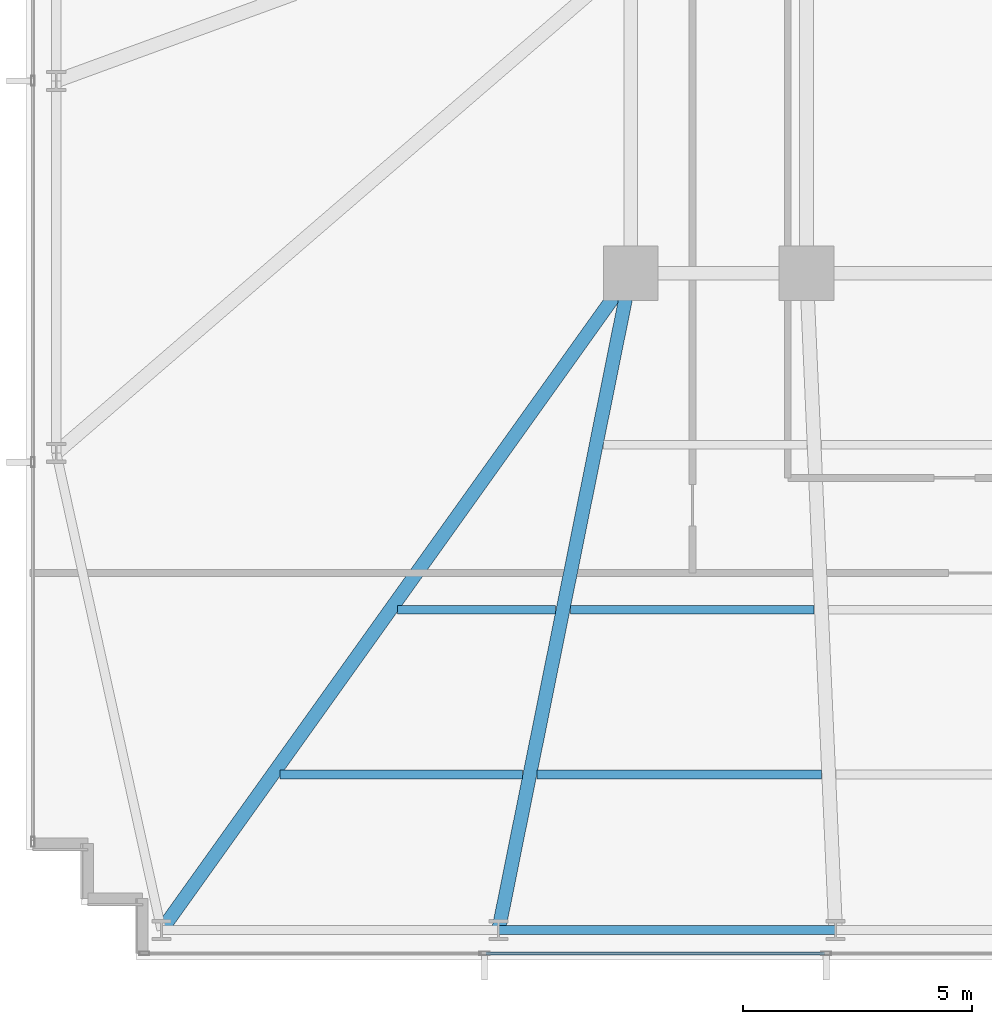
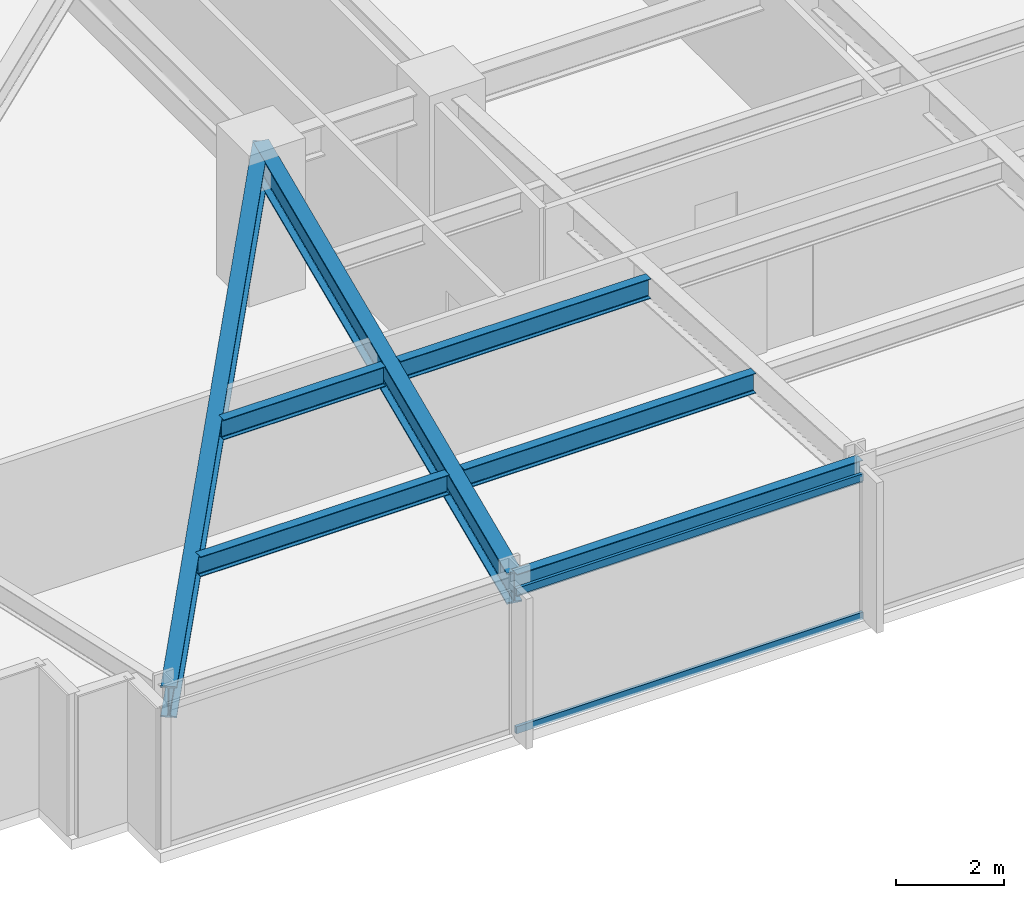
# One storey, part 3 of 32: 7 beams, 2 members, 1 element without a shape of its own.
"""IFC4 building model written with IfcOpenShell, lengths in metres."""

import ifcopenshell
import ifcopenshell.guid

model = None  # the IFC model being written
_history = None  # IfcOwnerHistory: only IFC2X3 demands one
_inside = {}  # id of a spatial element -> (the spatial element, [elements in it])
_under = {}  # id of a project, library or spatial element -> (it, [spatial elements below it])
_declared = {}  # id of a project -> (the project, [libraries it declares])
_typed = {}  # id of a type object -> (the type object, [elements of that type])
_made_of = {}  # id of a material, layer set ... -> (it, [elements and type objects made of it])


def new_model(schema):
    """Start an empty IFC model of exactly this schema.

    Asked for "IFC4X3", IfcOpenShell would pick the latest addendum, in which some entities
    have other attributes; the version numbers below select the first issue.
    IFC2X3 requires an IfcOwnerHistory on every rooted entity: one is made here for all.
    """
    global model, _history
    if schema == "IFC4X3":
        model = ifcopenshell.file(schema_version=(4, 3, 0, 0))
    else:
        model = ifcopenshell.file(schema=schema)
    _inside.clear()
    _under.clear()
    _declared.clear()
    _typed.clear()
    _made_of.clear()
    _history = None
    if model.schema == "IFC2X3":
        org = make("IfcOrganization", Name="unknown")
        user = make(
            "IfcPersonAndOrganization",
            ThePerson=make("IfcPerson", FamilyName="unknown"),
            TheOrganization=org,
        )
        app = make(
            "IfcApplication",
            ApplicationDeveloper=org,
            Version="unknown",
            ApplicationFullName="unknown",
            ApplicationIdentifier="unknown",
        )
        _history = make(
            "IfcOwnerHistory",
            OwningUser=user,
            OwningApplication=app,
            ChangeAction="ADDED",
            CreationDate=0,
        )
    return model


def make(cls, **values):
    """One entity of the class cls with the attributes given. An attribute that is None is left unset."""
    return model.create_entity(
        cls, **{name: value for name, value in values.items() if value is not None}
    )


def rooted(cls, **values):
    """An entity with a GlobalId (a new one), such as an element, a storey or a relation."""
    return make(cls, GlobalId=ifcopenshell.guid.new(), OwnerHistory=_history, **values)


def si_unit(unit_type, name, prefix=None):
    """IfcSIUnit, for example si_unit("LENGTHUNIT", "METRE", prefix="MILLI")."""
    return make("IfcSIUnit", UnitType=unit_type, Prefix=prefix, Name=name)


def assignment(units):
    """IfcUnitAssignment: the units of a project."""
    return None if units is None else make("IfcUnitAssignment", Units=units)


def point(xyz):
    """IfcCartesianPoint."""
    return None if xyz is None else make("IfcCartesianPoint", Coordinates=xyz)


def direction(xyz):
    """IfcDirection."""
    return None if xyz is None else make("IfcDirection", DirectionRatios=xyz)


def frame(location, z_axis=None, x_axis=None):
    """IfcAxis2Placement3D, a coordinate frame: its origin and axes. An axis left out is left unset."""
    return make(
        "IfcAxis2Placement3D",
        Location=point(location),
        Axis=direction(z_axis),
        RefDirection=direction(x_axis),
    )


def frame_2d(location, x_axis=None):
    """IfcAxis2Placement2D, a coordinate frame in the plane: its origin and x axis."""
    return make(
        "IfcAxis2Placement2D", Location=point(location), RefDirection=direction(x_axis)
    )


def origin():
    """The frame at (0, 0, 0) with its axes left unset."""
    return frame((0.0, 0.0, 0.0))


def origin_2d():
    """The frame at (0, 0) in the plane with its x axis left unset."""
    return frame_2d((0.0, 0.0))


def place(relative_to, where):
    """IfcLocalPlacement: puts the frame where relative to a parent placement (None: the world)."""
    return make(
        "IfcLocalPlacement", PlacementRelTo=relative_to, RelativePlacement=where
    )


def context(
    kind, dimensions, precision=None, world=None, true_north=None, identifier=None
):
    """IfcGeometricRepresentationContext, for example the 3D "Model" context."""
    return make(
        "IfcGeometricRepresentationContext",
        ContextIdentifier=identifier,
        ContextType=kind,
        CoordinateSpaceDimension=dimensions,
        Precision=precision,
        WorldCoordinateSystem=world,
        TrueNorth=true_north,
    )


def subcontext(parent, identifier, kind, view, scale=None):
    """IfcGeometricRepresentationSubContext, for example "Body" below "Model"."""
    return make(
        "IfcGeometricRepresentationSubContext",
        ContextIdentifier=identifier,
        ContextType=kind,
        ParentContext=parent,
        TargetScale=scale,
        TargetView=view,
    )


def project(units=None, contexts=None):
    """IfcProject with its units and contexts."""
    return rooted(
        "IfcProject",
        Name="project",
        RepresentationContexts=contexts,
        UnitsInContext=assignment(units),
    )


def spatial(cls, under=None, at=None, **own):
    """A site, building, storey or space (cls), placed at a placement, below another one or the project."""
    s = rooted(cls, ObjectPlacement=at, **own)
    if under is not None:
        _under.setdefault(under.id(), (under, []))[1].append(s)
    return s


def profile(cls, at=None, kind="AREA", **sizes):
    """A parametric profile (cls). Its sizes go by their IFC names, for example OverallWidth=200.0."""
    return make(cls, ProfileType=kind, Position=at, **sizes)


def hollow_rectangle(**sizes):
    """IfcRectangleHollowProfileDef."""
    return profile("IfcRectangleHollowProfileDef", **sizes)


def i_section(**sizes):
    """IfcIShapeProfileDef."""
    return profile("IfcIShapeProfileDef", **sizes)


def extrude(swept, where, along, depth):
    """IfcExtrudedAreaSolid: the profile swept, set in the frame where, extruded along a direction by depth."""
    return make(
        "IfcExtrudedAreaSolid",
        SweptArea=swept,
        Position=where,
        ExtrudedDirection=direction(along),
        Depth=depth,
    )


def shape(context_of_items, identifier, shape_type, items):
    """IfcShapeRepresentation: the items that make up one representation, for example the "Body"."""
    return make(
        "IfcShapeRepresentation",
        ContextOfItems=context_of_items,
        RepresentationIdentifier=identifier,
        RepresentationType=shape_type,
        Items=items,
    )


def material(Name=None, Category=None):
    """IfcMaterial."""
    return make("IfcMaterial", Name=Name, Category=Category)


def material_profile(
    of_material, cross_section, Name=None, Category=None, Priority=None
):
    """IfcMaterialProfile: a cross section and its material."""
    return make(
        "IfcMaterialProfile",
        Name=Name,
        Material=of_material,
        Profile=cross_section,
        Priority=Priority,
        Category=Category,
    )


def profile_set(profiles, Name=None, composite=None):
    """IfcMaterialProfileSet."""
    return make(
        "IfcMaterialProfileSet",
        Name=Name,
        MaterialProfiles=profiles,
        CompositeProfile=composite,
    )


def made_of(thing, what):
    """Note that an element or type object is made of a material, layer set ...; save() writes the relation."""
    if what is not None:
        _made_of.setdefault(what.id(), (what, []))[1].append(thing)
    return thing


def type_object(cls, material=None, **own):
    """A type object (cls), such as IfcWallType, which elements share."""
    return made_of(rooted(cls, **own), material)


def element(
    cls,
    number,
    at=None,
    inside=None,
    cuts=None,
    type_object=None,
    material=None,
    context=None,
    identifier="Body",
    shape_type=None,
    held_by="IfcProductDefinitionShape",
    body=None,
    shapes=None,
    **own,
):
    """One element of the class cls, such as IfcWall. Its Tag is "e" and its number.

    at: its placement. inside: the storey or other place that contains it. cuts: it is an
    opening in that element (IfcRelVoidsElement). A single representation is given by context,
    identifier, shape_type and body (its items); several are given by shapes. held_by: the class
    of the entity that holds the representations. save() writes the other relations.
    """
    e = rooted(cls, Tag="e%d" % number, ObjectPlacement=at, **own)
    if body is not None:
        shapes = [shape(context, identifier, shape_type, body)]
    if shapes is not None:
        e.Representation = make(held_by, Representations=shapes)
    if inside is not None:
        _inside.setdefault(inside.id(), (inside, []))[1].append(e)
    if cuts is not None:
        rooted(
            "IfcRelVoidsElement", RelatingBuildingElement=cuts, RelatedOpeningElement=e
        )
    if type_object is not None:
        _typed.setdefault(type_object.id(), (type_object, []))[1].append(e)
    return made_of(e, material)


def aggregate(whole, parts):
    """IfcRelAggregates: a whole, such as a stair, and the parts it consists of."""
    return rooted("IfcRelAggregates", RelatingObject=whole, RelatedObjects=parts)


def save(model, path):
    """Write the relations noted so far, then the file.

    IfcRelAggregates (storeys below a building ...), IfcRelContainedInSpatialStructure (elements
    in a storey), IfcRelDefinesByType, IfcRelAssociatesMaterial and IfcRelDeclares: one each for
    every whole, place, type object, material and project.
    """
    for whole, parts in _under.values():
        aggregate(whole, parts)
    for where, things in _inside.values():
        rooted(
            "IfcRelContainedInSpatialStructure",
            RelatedElements=things,
            RelatingStructure=where,
        )
    for kind, things in _typed.values():
        rooted("IfcRelDefinesByType", RelatedObjects=things, RelatingType=kind)
    for what, things in _made_of.values():
        rooted("IfcRelAssociatesMaterial", RelatedObjects=things, RelatingMaterial=what)
    for by, libraries in _declared.values():
        rooted("IfcRelDeclares", RelatingContext=by, RelatedDefinitions=libraries)
    model.write(path)


model = new_model("IFC4")

# Units and contexts
model_context = context("Model", 3, precision=1e-05, world=origin(), true_north=direction((0.0, 1.0)))
body_context = subcontext(model_context, "Body", "Model", "MODEL_VIEW")
ifc_project = project(units=[si_unit("LENGTHUNIT", "METRE"), si_unit("AREAUNIT", "SQUARE_METRE"), si_unit("VOLUMEUNIT", "CUBIC_METRE"), si_unit("PLANEANGLEUNIT", "RADIAN"), si_unit("MASSUNIT", "GRAM", prefix="KILO")], contexts=[model_context])

# Site, building, storey
site_placement = place(None, origin())
site = spatial("IfcSite", under=ifc_project, at=site_placement, CompositionType="ELEMENT")
building_placement = place(site_placement, origin())
building = spatial("IfcBuilding", under=site, at=building_placement, Name="Yelkora Congress Tower", CompositionType="ELEMENT")
storey_placement = place(building_placement, frame((0.0, 0.0, 33.800048828125)))
storey = spatial("IfcBuildingStorey", under=building, at=storey_placement, Name="L07", CompositionType="ELEMENT", Elevation=33.800048828125)

# Beams
ifc_material_1 = material(Name="Steel S355J2", Category="steel")
ifc_material_profile_1 = material_profile(ifc_material_1, i_section(OverallWidth=0.300048828125, OverallDepth=0.699951171875, WebThickness=0.01708984375, FlangeThickness=0.031982421875, FilletRadius=0.027099609375, at=origin_2d()), Name="HEB 700")
ifc_profile_set_1 = profile_set([ifc_material_profile_1], Name="Steel S355J2")
beam_type_1 = type_object("IfcBeamType", Name="BM-GIRD-HEB700", PredefinedType="BEAM", material=ifc_profile_set_1)
beam_1_placement = place(storey_placement, frame((8.949951171875, 10.85009765625, 2.829833984375), z_axis=(0.581242122521, 0.813730664906, 0.0), x_axis=(-0.813730664906, 0.581242122521, 0.0)))
element("IfcBeam", 1, at=beam_1_placement, inside=storey, type_object=beam_type_1, Name="L07 Primary Frame Girder S01", PredefinedType="BEAM", context=body_context, shape_type="SweptSolid", body=[
    extrude(i_section(OverallWidth=0.300048828125, OverallDepth=0.699951171875, WebThickness=0.01708984375, FlangeThickness=0.031982421875, FilletRadius=0.027099609375, at=origin_2d()), origin(), (0.0, 0.0, 1.0), 17.634765625),
])
beam_2_placement = place(storey_placement, frame((16.3125, 10.85009765625, 2.829833984375), z_axis=(0.197264295931, 0.980350344291, 0.0), x_axis=(-0.980350344291, 0.197264295931, 0.0)))
element("IfcBeam", 2, at=beam_2_placement, inside=storey, type_object=beam_type_1, Name="L07 Primary Frame Girder S02", PredefinedType="BEAM", context=body_context, shape_type="SweptSolid", body=[
    extrude(i_section(OverallWidth=0.300048828125, OverallDepth=0.699951171875, WebThickness=0.01708984375, FlangeThickness=0.031982421875, FilletRadius=0.027099609375, at=origin_2d()), origin(), (0.0, 0.0, 1.0), 14.637451171875),
])
ifc_material_profile_2 = material_profile(ifc_material_1, i_section(OverallWidth=0.18994140625, OverallDepth=0.449951171875, WebThickness=0.009521484375, FlangeThickness=0.0146484375, FilletRadius=0.02099609375, at=origin_2d()), Name="IPE 450")
ifc_profile_set_2 = profile_set([ifc_material_profile_2], Name="Steel S355J2")
beam_type_2 = type_object("IfcBeamType", Name="BM-JOIST-IPE450", PredefinedType="JOIST", material=ifc_profile_set_2)
beam_3_placement = place(storey_placement, frame((11.53857421875, 14.25, 2.954833984375), z_axis=(1.0, 0.0, 0.0), x_axis=(0.0, 1.0, 0.0)))
element("IfcBeam", 3, at=beam_3_placement, inside=storey, type_object=beam_type_2, Name="L07 Composite Floor Joist 1", PredefinedType="JOIST", context=body_context, shape_type="SweptSolid", body=[
    extrude(i_section(OverallWidth=0.18994140625, OverallDepth=0.449951171875, WebThickness=0.009521484375, FlangeThickness=0.0146484375, FilletRadius=0.02099609375, at=origin_2d()), origin(), (0.0, 0.0, 1.0), 5.298095703125),
])
beam_4_placement = place(storey_placement, frame((17.156494140625, 14.25, 2.954833984375), z_axis=(1.0, 0.0, 0.0), x_axis=(0.0, 1.0, 0.0)))
element("IfcBeam", 4, at=beam_4_placement, inside=storey, type_object=beam_type_2, Name="L07 Composite Floor Joist 2", PredefinedType="JOIST", context=body_context, shape_type="SweptSolid", body=[
    extrude(i_section(OverallWidth=0.18994140625, OverallDepth=0.449951171875, WebThickness=0.009521484375, FlangeThickness=0.0146484375, FilletRadius=0.02099609375, at=origin_2d()), origin(), (0.0, 0.0, 1.0), 6.2080078125),
])
beam_5_placement = place(storey_placement, frame((14.110107421875, 17.85009765625, 2.954833984375), z_axis=(1.0, 0.0, 0.0), x_axis=(0.0, 1.0, 0.0)))
element("IfcBeam", 5, at=beam_5_placement, inside=storey, type_object=beam_type_2, Name="L07 Composite Floor Joist 9", PredefinedType="JOIST", context=body_context, shape_type="SweptSolid", body=[
    extrude(i_section(OverallWidth=0.18994140625, OverallDepth=0.449951171875, WebThickness=0.009521484375, FlangeThickness=0.0146484375, FilletRadius=0.02099609375, at=origin_2d()), origin(), (0.0, 0.0, 1.0), 3.450927734375),
])
beam_6_placement = place(storey_placement, frame((17.881103515625, 17.85009765625, 2.954833984375), z_axis=(1.0, 0.0, 0.0), x_axis=(0.0, 1.0, 0.0)))
element("IfcBeam", 6, at=beam_6_placement, inside=storey, type_object=beam_type_2, Name="L07 Composite Floor Joist 10", PredefinedType="JOIST", context=body_context, shape_type="SweptSolid", body=[
    extrude(i_section(OverallWidth=0.18994140625, OverallDepth=0.449951171875, WebThickness=0.009521484375, FlangeThickness=0.0146484375, FilletRadius=0.02099609375, at=origin_2d()), origin(), (0.0, 0.0, 1.0), 5.323974609375),
])
ifc_material_profile_3 = material_profile(ifc_material_1, i_section(OverallWidth=0.199951171875, OverallDepth=0.5, WebThickness=0.01025390625, FlangeThickness=0.01611328125, FilletRadius=0.02099609375, at=origin_2d()), Name="IPE 500")
ifc_profile_set_3 = profile_set([ifc_material_profile_3], Name="Steel S355J2")
beam_type_3 = type_object("IfcBeamType", Name="BM-SPAN-IPE500", PredefinedType="SPANDREL", material=ifc_profile_set_3)
beam_7_placement = place(storey_placement, frame((16.3125, 10.85009765625, 2.929931640625), z_axis=(1.0, 0.0, 0.0), x_axis=(0.0, 1.0, 0.0)))
element("IfcBeam", 7, at=beam_7_placement, inside=storey, type_object=beam_type_3, Name="L07 Perimeter Beam 3", PredefinedType="SPANDREL", context=body_context, shape_type="SweptSolid", body=[
    extrude(i_section(OverallWidth=0.199951171875, OverallDepth=0.5, WebThickness=0.01025390625, FlangeThickness=0.01611328125, FilletRadius=0.02099609375, at=origin_2d()), origin(), (0.0, 0.0, 1.0), 7.362548828125),
])

# Curtain wall, members
ifc_material_2 = material(Name="Anodised aluminium and insulated glass", Category="aluminium")
curtain_wall_type = type_object("IfcCurtainWallType", Name="CW-SYS-B1", PredefinedType="NOTDEFINED", material=ifc_material_2)
curtain_wall_placement = place(storey_placement, origin())
curtain_wall = element("IfcCurtainWall", 8, at=curtain_wall_placement, inside=storey, type_object=curtain_wall_type, Name="L07 Unitised Curtain Wall 20", PredefinedType="NOTDEFINED")
ifc_material_3 = material(Name="Anodised aluminium 6063-T6", Category="aluminium")
ifc_material_profile_4 = material_profile(ifc_material_3, hollow_rectangle(XDim=0.06494140625, YDim=0.159912109375, WallThickness=0.00390625, at=origin_2d()), Name="ALU 65x160x4")
ifc_profile_set_4 = profile_set([ifc_material_profile_4], Name="Anodised aluminium 6063-T6")
member_type = type_object("IfcMemberType", Name="MEM-TR-B1", PredefinedType="USERDEFINED", material=ifc_profile_set_4)
member_1_placement = place(storey_placement, frame((23.4326171875, 10.340087890625, 0.032470703125), z_axis=(-1.0, 0.0, 0.0), x_axis=(0.0, -1.0, 0.0)))
member_1 = element("IfcMember", 9, at=member_1_placement, type_object=member_type, Name="CW-B1 transom 7.1", ObjectType="TRANSOM", PredefinedType="USERDEFINED", context=body_context, shape_type="SweptSolid", body=[
    extrude(hollow_rectangle(XDim=0.06494140625, YDim=0.159912109375, WallThickness=0.00390625, at=origin_2d()), origin(), (0.0, 0.0, 1.0), 7.39013671875),
])
member_2_placement = place(storey_placement, frame((23.4326171875, 10.340087890625, 3.1474609375), z_axis=(-1.0, 0.0, 0.0), x_axis=(0.0, -1.0, 0.0)))
member_2 = element("IfcMember", 10, at=member_2_placement, type_object=member_type, Name="CW-B1 transom 7.2", ObjectType="TRANSOM", PredefinedType="USERDEFINED", context=body_context, shape_type="SweptSolid", body=[
    extrude(hollow_rectangle(XDim=0.06494140625, YDim=0.159912109375, WallThickness=0.00390625, at=origin_2d()), origin(), (0.0, 0.0, 1.0), 7.39013671875),
])
aggregate(curtain_wall, [member_1, member_2])

save(model, "model.ifc")
